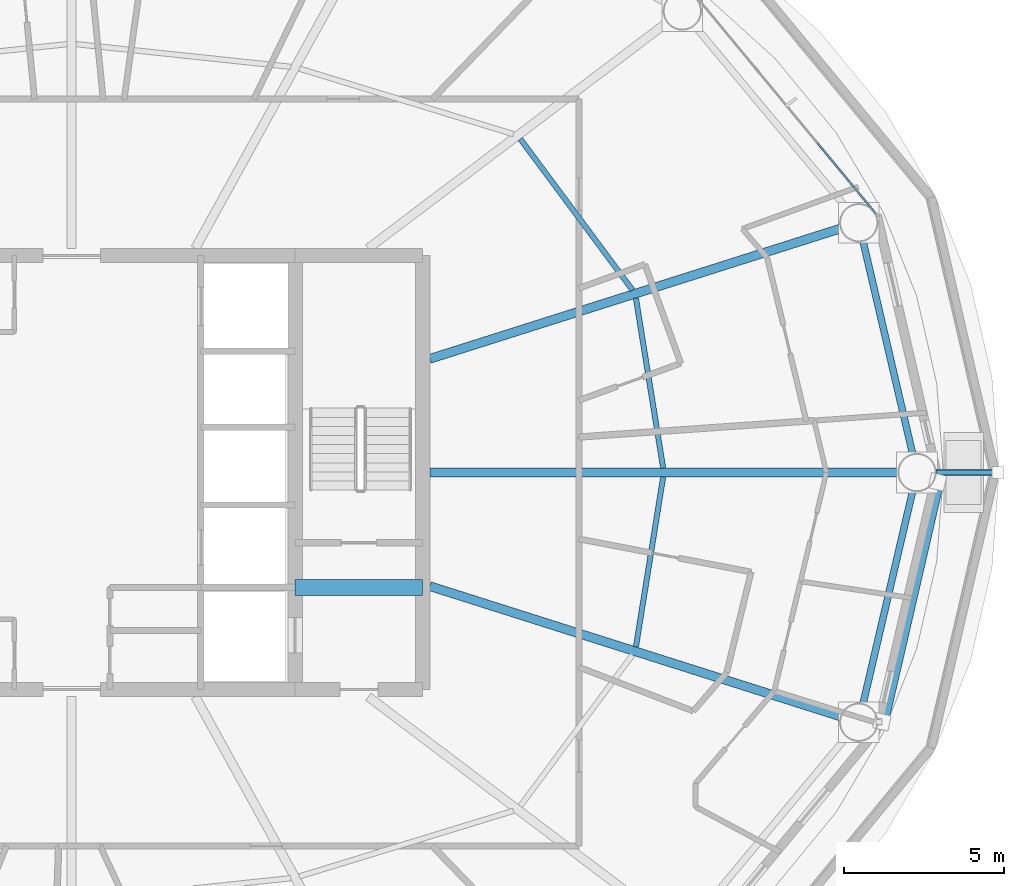
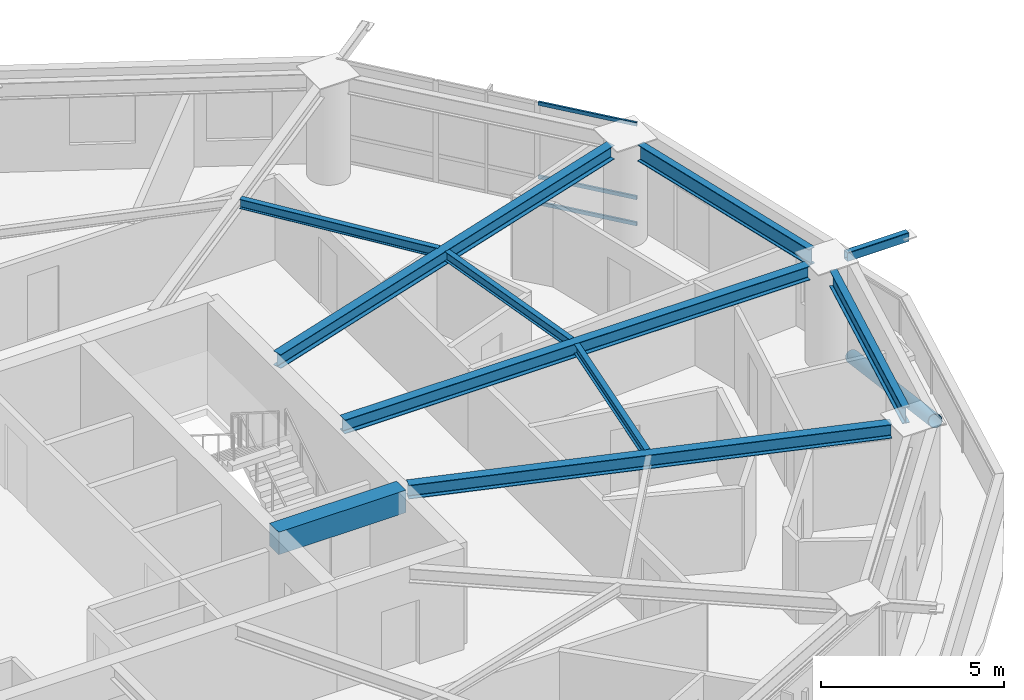
# One storey, part 8 of 27: 9 beams, 5 members, 1 element without a shape of its own.
"""IFC4 building model written with IfcOpenShell, lengths in metres."""

from ifc_helpers import new_model, si_unit, direction, frame, origin, origin_2d, place, context, subcontext, project, spatial, rectangle, hollow_rectangle, hollow_circle, i_section, extrude, material, layer, layer_set, material_profile, profile_set, type_object, element, aggregate, save


model = new_model("IFC4")

# Units and contexts
model_context = context("Model", 3, precision=1e-05, world=origin(), true_north=direction((0.0, 1.0)))
body_context = subcontext(model_context, "Body", "Model", "MODEL_VIEW")
ifc_project = project(units=[si_unit("LENGTHUNIT", "METRE"), si_unit("AREAUNIT", "SQUARE_METRE"), si_unit("VOLUMEUNIT", "CUBIC_METRE"), si_unit("PLANEANGLEUNIT", "RADIAN"), si_unit("MASSUNIT", "GRAM", prefix="KILO")], contexts=[model_context])

# Site, building, storey
site_placement = place(None, origin())
site = spatial("IfcSite", under=ifc_project, at=site_placement, CompositionType="ELEMENT")
building_placement = place(site_placement, origin())
building = spatial("IfcBuilding", under=site, at=building_placement, Name="Sarneth Arch Tower", CompositionType="ELEMENT")
storey_placement = place(building_placement, frame((0.0, 0.0, 150.60009765625)))
storey = spatial("IfcBuildingStorey", under=building, at=storey_placement, Name="L37", CompositionType="ELEMENT", Elevation=150.60009765625)

# Beams
ifc_material_1 = material(Name="Steel S355", Category="steel")
ifc_material_profile_1 = material_profile(ifc_material_1, i_section(OverallWidth=0.1669921875, OverallDepth=0.31689453125, WebThickness=0.007568359375, FlangeThickness=0.01318359375, FilletRadius=0.012939453125, at=origin_2d()), Name="W310x52")
ifc_profile_set_1 = profile_set([ifc_material_profile_1], Name="Steel S355")
beam_type_1 = type_object("IfcBeamType", Name="BM-JOIST-310B", PredefinedType="JOIST", material=ifc_profile_set_1)
beam_1_placement = place(storey_placement, frame((66.533935546875, 42.13818359375, 3.221435546875), z_axis=(-0.158348792374, 0.987383238643, 0.0), x_axis=(-0.987383238643, -0.158348792374, 0.0)))
element("IfcBeam", 1, at=beam_1_placement, inside=storey, type_object=beam_type_1, Name="L37 Secondary floor joist 01", PredefinedType="JOIST", context=body_context, shape_type="SweptSolid", body=[
    extrude(i_section(OverallWidth=0.1669921875, OverallDepth=0.31689453125, WebThickness=0.007568359375, FlangeThickness=0.01318359375, FilletRadius=0.012939453125, at=origin_2d()), origin(), (0.0, 0.0, 1.0), 5.394775390625),
])
beam_2_placement = place(storey_placement, frame((65.57421875, 47.715576171875, 3.221435546875), z_axis=(-0.596190586674, 0.802842938788, 0.0), x_axis=(-0.802842938788, -0.596190586674, 0.0)))
element("IfcBeam", 2, at=beam_2_placement, inside=storey, type_object=beam_type_1, Name="L37 Secondary floor joist 02", PredefinedType="JOIST", context=body_context, shape_type="SweptSolid", body=[
    extrude(i_section(OverallWidth=0.1669921875, OverallDepth=0.31689453125, WebThickness=0.007568359375, FlangeThickness=0.01318359375, FilletRadius=0.012939453125, at=origin_2d()), origin(), (0.0, 0.0, 1.0), 5.896484375),
])
beam_3_placement = place(storey_placement, frame((65.6796875, 36.53515625, 3.221435546875), z_axis=(0.158348792374, 0.987383238643, 0.0), x_axis=(-0.987383238643, 0.158348792374, 0.0)))
element("IfcBeam", 3, at=beam_3_placement, inside=storey, type_object=beam_type_1, Name="L37 Secondary floor joist 16", PredefinedType="JOIST", context=body_context, shape_type="SweptSolid", body=[
    extrude(i_section(OverallWidth=0.1669921875, OverallDepth=0.31689453125, WebThickness=0.007568359375, FlangeThickness=0.01318359375, FilletRadius=0.012939453125, at=origin_2d()), origin(), (0.0, 0.0, 1.0), 5.394775390625),
])
ifc_material_2 = material(Name="Concrete C50/60", Category="concrete")
ifc_material_profile_2 = material_profile(ifc_material_2, rectangle(XDim=0.5, YDim=0.75, at=origin_2d()), Name="RC-500x750")
ifc_profile_set_2 = profile_set([ifc_material_profile_2], Name="Concrete C50/60")
beam_type_2 = type_object("IfcBeamType", Name="BM-LINTEL-RC", PredefinedType="LINTEL", material=ifc_profile_set_2)
beam_4_placement = place(storey_placement, frame((55.0, 38.39990234375, 3.0048828125), z_axis=(1.0, 0.0, 0.0), x_axis=(0.0, 1.0, 0.0)))
element("IfcBeam", 4, at=beam_4_placement, inside=storey, type_object=beam_type_2, Name="L37 Core coupling lintel E", PredefinedType="LINTEL", context=body_context, shape_type="SweptSolid", body=[
    extrude(rectangle(XDim=0.5, YDim=0.75, at=origin_2d()), origin(), (0.0, 0.0, 1.0), 4.0),
])
ifc_material_3 = material(Name="Steel S355", Category="steel")
ifc_material_profile_3 = material_profile(ifc_material_3, i_section(OverallWidth=0.280029296875, OverallDepth=0.462890625, WebThickness=0.0107421875, FlangeThickness=0.017333984375, FilletRadius=0.01806640625, at=origin_2d()), Name="W460x113")
ifc_profile_set_3 = profile_set([ifc_material_profile_3], Name="Steel S355")
beam_type_3 = type_object("IfcBeamType", Name="BM-RAD-460A", PredefinedType="BEAM", material=ifc_profile_set_3)
beam_5_placement = place(storey_placement, frame((59.22509765625, 42.0, 3.1484375), z_axis=(1.0, 0.0, 0.0), x_axis=(0.0, 1.0, 0.0)))
element("IfcBeam", 5, at=beam_5_placement, inside=storey, type_object=beam_type_3, Name="L37 Radial floor girder 01", PredefinedType="BEAM", context=body_context, shape_type="SweptSolid", body=[
    extrude(i_section(OverallWidth=0.280029296875, OverallDepth=0.462890625, WebThickness=0.0107421875, FlangeThickness=0.017333984375, FilletRadius=0.01806640625, at=origin_2d()), origin(), (0.0, 0.0, 1.0), 14.661865234375),
])
for number, where, z_axis, x_axis, name in (
    (6, (59.22509765625, 45.56201171875, 3.1484375), (0.95316541071, 0.30244949963, 0.0), (-0.30244949963, 0.95316541071, 0.0), "L37 Radial floor girder 02"),
    (7, (59.22509765625, 38.43798828125, 3.1484375), (0.95316541071, -0.30244949963, 0.0), (0.30244949963, 0.95316541071, 0.0), "L37 Radial floor girder 16"),
):
    element("IfcBeam", number, at=place(storey_placement, frame(where, z_axis=z_axis, x_axis=x_axis)), inside=storey, type_object=beam_type_3, Name=name, PredefinedType="BEAM", context=body_context, shape_type="SweptSolid", body=[
        extrude(i_section(OverallWidth=0.280029296875, OverallDepth=0.462890625, WebThickness=0.0107421875, FlangeThickness=0.017333984375, FilletRadius=0.01806640625, at=origin_2d()), origin(), (0.0, 0.0, 1.0), 13.497314453125),
    ])
ifc_material_4 = material(Name="Steel S355", Category="steel")
ifc_material_profile_4 = material_profile(ifc_material_4, i_section(OverallWidth=0.214111328125, OverallDepth=0.549072265625, WebThickness=0.0146484375, FlangeThickness=0.023681640625, FilletRadius=0.01806640625, at=origin_2d()), Name="W530x138")
ifc_profile_set_4 = profile_set([ifc_material_profile_4], Name="Steel S355")
beam_type_4 = type_object("IfcBeamType", Name="BM-RAD-530A", PredefinedType="BEAM", material=ifc_profile_set_4)
for number, where, z_axis, x_axis, name in (
    (8, (74.350830078125, 42.584228515625, 3.10546875), (-0.227109937572, 0.973869126863, 0.0), (-0.973869126863, -0.227109937572, 0.0), "L37 Perimeter spandrel beam 01"),
    (9, (72.79833984375, 34.758544921875, 3.10546875), (0.227109937572, 0.973869126863, 0.0), (-0.973869126863, 0.227109937572, 0.0), "L37 Perimeter spandrel beam 16"),
):
    element("IfcBeam", number, at=place(storey_placement, frame(where, z_axis=z_axis, x_axis=x_axis)), inside=storey, type_object=beam_type_4, Name=name, PredefinedType="BEAM", context=body_context, shape_type="SweptSolid", body=[
        extrude(i_section(OverallWidth=0.214111328125, OverallDepth=0.549072265625, WebThickness=0.0146484375, FlangeThickness=0.023681640625, FilletRadius=0.01806640625, at=origin_2d()), origin(), (0.0, 0.0, 1.0), 6.8359375),
    ])

# Curtain wall, members
ifc_material_5 = material(Name="Anodised aluminium Type AA25 and solar-control low-e laminated IGU", Category="aluminium")
ifc_layer = layer(ifc_material_5, 0.169921875)
ifc_layer_set = layer_set([ifc_layer], Name="Anodised aluminium Type AA25 and solar-control low-e laminated IGU")
curtain_wall_type = type_object("IfcCurtainWallType", Name="CW-RES-MID", PredefinedType="NOTDEFINED", material=ifc_layer_set)
curtain_wall_placement = place(storey_placement, origin())
curtain_wall = element("IfcCurtainWall", 10, at=curtain_wall_placement, inside=storey, type_object=curtain_wall_type, Name="L37 Unitised curtain wall facet 02", PredefinedType="NOTDEFINED")
ifc_material_6 = material(Name="Anodised Aluminium 6063-T6", Category="aluminium")
ifc_material_profile_5 = material_profile(ifc_material_6, hollow_rectangle(XDim=0.06005859375, YDim=0.1201171875, WallThickness=0.00390625, at=origin_2d()), Name="AL-TRAN-120x60x4")
ifc_profile_set_5 = profile_set([ifc_material_profile_5], Name="Anodised Aluminium 6063-T6")
member_type_1 = type_object("IfcMemberType", Name="CW-TRANSOM", PredefinedType="USERDEFINED", material=ifc_profile_set_5)
member_1_placement = place(storey_placement, frame((73.194091796875, 50.11328125, 0.02978515625), z_axis=(-0.637358651504, 0.770567290607, 0.0), x_axis=(-0.770567290607, -0.637358651504, 0.0)))
member_1 = element("IfcMember", 11, at=member_1_placement, type_object=member_type_1, Name="CW-SYS-5 transom 1.1", ObjectType="TRANSOM", PredefinedType="USERDEFINED", context=body_context, shape_type="SweptSolid", body=[
    extrude(hollow_rectangle(XDim=0.06005859375, YDim=0.1201171875, WallThickness=0.00390625, at=origin_2d()), origin(), (0.0, 0.0, 1.0), 2.8681640625),
])
member_2_placement = place(storey_placement, frame((73.194091796875, 50.11328125, 0.89990234375), z_axis=(-0.637358651504, 0.770567290607, 0.0), x_axis=(-0.770567290607, -0.637358651504, 0.0)))
member_2 = element("IfcMember", 12, at=member_2_placement, type_object=member_type_1, Name="CW-SYS-5 transom 1.2", ObjectType="TRANSOM", PredefinedType="USERDEFINED", context=body_context, shape_type="SweptSolid", body=[
    extrude(hollow_rectangle(XDim=0.06005859375, YDim=0.1201171875, WallThickness=0.00390625, at=origin_2d()), origin(), (0.0, 0.0, 1.0), 2.8681640625),
])
member_3_placement = place(storey_placement, frame((73.194091796875, 50.11328125, 3.349853515625), z_axis=(-0.637358651504, 0.770567290607, 0.0), x_axis=(-0.770567290607, -0.637358651504, 0.0)))
member_3 = element("IfcMember", 13, at=member_3_placement, type_object=member_type_1, Name="CW-SYS-5 transom 1.3", ObjectType="TRANSOM", PredefinedType="USERDEFINED", context=body_context, shape_type="SweptSolid", body=[
    extrude(hollow_rectangle(XDim=0.06005859375, YDim=0.1201171875, WallThickness=0.00390625, at=origin_2d()), origin(), (0.0, 0.0, 1.0), 2.8681640625),
])
aggregate(curtain_wall, [member_1, member_2, member_3])

# Members
ifc_material_7 = material(Name="Steel S355", Category="steel")
ifc_material_profile_6 = material_profile(ifc_material_7, hollow_rectangle(XDim=0.199951171875, YDim=0.300048828125, WallThickness=0.012451171875, InnerFilletRadius=0.018798828125, OuterFilletRadius=0.03125, at=origin_2d()), Name="RHS300x200x12.5")
ifc_profile_set_6 = profile_set([ifc_material_profile_6], Name="Steel S355")
member_type_2 = type_object("IfcMemberType", Name="MEM-CANT-STRUT", PredefinedType="STRUT", material=ifc_profile_set_6)
member_4_placement = place(storey_placement, frame((75.0869140625, 42.0, 3.219970703125), z_axis=(1.0, 0.0, 0.0), x_axis=(0.0, 1.0, 0.0)))
element("IfcMember", 14, at=member_4_placement, inside=storey, type_object=member_type_2, Name="L37 Balcony cantilever bracket 01", PredefinedType="STRUT", context=body_context, shape_type="SweptSolid", body=[
    extrude(hollow_rectangle(XDim=0.199951171875, YDim=0.300048828125, WallThickness=0.012451171875, InnerFilletRadius=0.018798828125, OuterFilletRadius=0.03125, at=origin_2d()), origin(), (0.0, 0.0, 1.0), 1.936767578125),
])
ifc_material_8 = material(Name="Steel S355", Category="steel")
ifc_material_profile_7 = material_profile(ifc_material_8, hollow_circle(Radius=0.202880859375, WallThickness=0.01611328125, at=origin_2d()), Name="CHS406x16")
ifc_profile_set_7 = profile_set([ifc_material_profile_7], Name="Steel S355")
member_type_3 = type_object("IfcMemberType", Name="MEM-DIAG-BR2", PredefinedType="BRACE", material=ifc_profile_set_7)
member_5_placement = place(storey_placement, frame((75.12890625, 41.707763671875, 0.02001953125), z_axis=(-0.209646277215, -0.90691666474, 0.365445757488), x_axis=(0.974306903917, -0.225224459107, 0.0)))
element("IfcMember", 15, at=member_5_placement, inside=storey, type_object=member_type_3, Name="L37 Perimeter frame diagonal 16", PredefinedType="BRACE", context=body_context, shape_type="SweptSolid", body=[
    extrude(hollow_circle(Radius=0.202880859375, WallThickness=0.01611328125, at=origin_2d()), origin(), (0.0, 0.0, 1.0), 8.292724609375),
])

save(model, "model.ifc")
